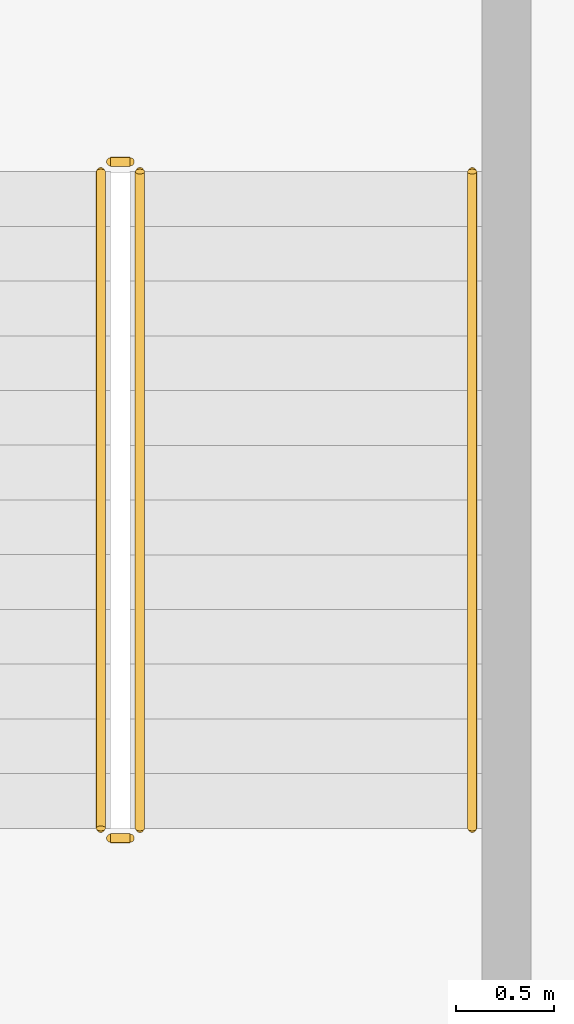
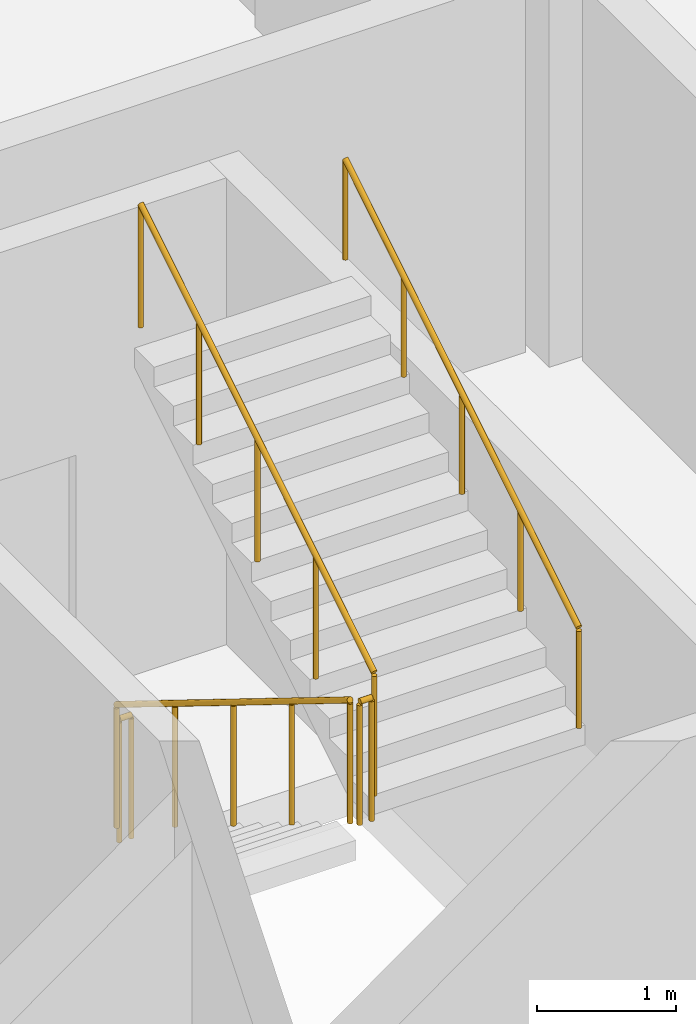
# One storey, part 29 of 35: 5 railings.
"""IFC4 building model written with IfcOpenShell, lengths in metres."""

from ifc_helpers import new_model, si_unit, direction, frame, origin, origin_2d, place, context, subcontext, project, spatial, circle, extrude, material, type_object, element, save


model = new_model("IFC4")

# Units and contexts
model_context = context("Model", 3, precision=1e-05, world=origin(), true_north=direction((0.0, 1.0)))
body_context = subcontext(model_context, "Body", "Model", "MODEL_VIEW")
ifc_project = project(units=[si_unit("LENGTHUNIT", "METRE"), si_unit("AREAUNIT", "SQUARE_METRE"), si_unit("VOLUMEUNIT", "CUBIC_METRE"), si_unit("PLANEANGLEUNIT", "RADIAN"), si_unit("MASSUNIT", "GRAM", prefix="KILO")], contexts=[model_context])

# Site, building, storey
site_placement = place(None, origin())
site = spatial("IfcSite", under=ifc_project, at=site_placement, CompositionType="ELEMENT")
building_placement = place(site_placement, origin())
building = spatial("IfcBuilding", under=site, at=building_placement, Name="Kilnfold Tower and Market Hall", CompositionType="ELEMENT")
storey_placement = place(building_placement, frame((0.0, 0.0, 13.5)))
storey = spatial("IfcBuildingStorey", under=building, at=storey_placement, Name="L02", CompositionType="ELEMENT", Elevation=13.5)

# Railings
ifc_material_1 = material(Name="Steel S355", Category="steel")
railing_type_1 = type_object("IfcRailingType", Name="HALL STAIR GUARD 1100", PredefinedType="GUARDRAIL", material=ifc_material_1)
railing_1_placement = place(storey_placement, frame((-48.75, 13.300048828125, 0.173095703125)))
element("IfcRailing", 1, at=railing_1_placement, inside=storey, type_object=railing_type_1, Name="L02 MS2 stair guard 1", PredefinedType="GUARDRAIL", context=body_context, shape_type="SweptSolid", body=[
    extrude(circle(Radius=0.02392578125, at=origin_2d()), frame((0.0, 0.0, 1.076171875), z_axis=(0.0, -0.850623216509, 0.525775754039), x_axis=(1.0, 0.0, 0.0)), (0.0, 0.0, 1.0), 3.9501953125),
    extrude(circle(Radius=0.02099609375, at=origin_2d()), origin(), (0.0, 0.0, 1.0), 1.052001953125),
    extrude(circle(Radius=0.02099609375, at=origin_2d()), frame((0.0, -0.840087890625, 0.519287109375)), (0.0, 0.0, 1.0), 1.052001953125),
    extrude(circle(Radius=0.02099609375, at=origin_2d()), frame((0.0, -1.68017578125, 1.03857421875)), (0.0, 0.0, 1.0), 1.052001953125),
    extrude(circle(Radius=0.02099609375, at=origin_2d()), frame((0.0, -2.52001953125, 1.5576171875)), (0.0, 0.0, 1.0), 1.052001953125),
    extrude(circle(Radius=0.02099609375, at=origin_2d()), frame((0.0, -3.360107421875, 2.076904296875)), (0.0, 0.0, 1.0), 1.052001953125),
])
railing_2_placement = place(storey_placement, frame((-48.699951171875, 9.889892578125, 2.25)))
element("IfcRailing", 2, at=railing_2_placement, inside=storey, type_object=railing_type_1, Name="L02 MS2 stair guard 2", PredefinedType="GUARDRAIL", context=body_context, shape_type="SweptSolid", body=[
    extrude(circle(Radius=0.02392578125, at=origin_2d()), frame((0.0, 0.0, 1.076171875), z_axis=(1.0, 0.0, 0.0), x_axis=(0.0, 1.0, 0.0)), (0.0, 0.0, 1.0), 0.099853515625),
    extrude(circle(Radius=0.02099609375, at=origin_2d()), origin(), (0.0, 0.0, 1.0), 1.052001953125),
    extrude(circle(Radius=0.02099609375, at=origin_2d()), frame((0.099853515625, 0.0, 0.0)), (0.0, 0.0, 1.0), 1.052001953125),
])
railing_3_placement = place(storey_placement, frame((-48.550048828125, 9.93994140625, 2.423095703125)))
element("IfcRailing", 3, at=railing_3_placement, inside=storey, type_object=railing_type_1, Name="L02 MS2 stair guard 3", PredefinedType="GUARDRAIL", context=body_context, shape_type="SweptSolid", body=[
    extrude(circle(Radius=0.02392578125, at=origin_2d()), frame((0.0, 0.0, 1.076171875), z_axis=(0.0, 0.850623216509, 0.525775754039), x_axis=(-1.0, 0.0, 0.0)), (0.0, 0.0, 1.0), 3.9501953125),
    extrude(circle(Radius=0.02099609375, at=origin_2d()), origin(), (0.0, 0.0, 1.0), 1.052001953125),
    extrude(circle(Radius=0.02099609375, at=origin_2d()), frame((0.0, 0.840087890625, 0.519287109375)), (0.0, 0.0, 1.0), 1.052001953125),
    extrude(circle(Radius=0.02099609375, at=origin_2d()), frame((0.0, 1.68017578125, 1.03857421875)), (0.0, 0.0, 1.0), 1.052001953125),
    extrude(circle(Radius=0.02099609375, at=origin_2d()), frame((0.0, 2.52001953125, 1.5576171875)), (0.0, 0.0, 1.0), 1.052001953125),
    extrude(circle(Radius=0.02099609375, at=origin_2d()), frame((0.0, 3.360107421875, 2.076904296875)), (0.0, 0.0, 1.0), 1.052001953125),
])
railing_4_placement = place(storey_placement, frame((-48.699951171875, 13.35009765625, 0.0)))
element("IfcRailing", 4, at=railing_4_placement, inside=storey, type_object=railing_type_1, Name="L02 MS2 stair guard 4", PredefinedType="GUARDRAIL", context=body_context, shape_type="SweptSolid", body=[
    extrude(circle(Radius=0.02392578125, at=origin_2d()), frame((0.0, 0.0, 1.076171875), z_axis=(1.0, 0.0, 0.0), x_axis=(0.0, 1.0, 0.0)), (0.0, 0.0, 1.0), 0.099853515625),
    extrude(circle(Radius=0.02099609375, at=origin_2d()), origin(), (0.0, 0.0, 1.0), 1.052001953125),
    extrude(circle(Radius=0.02099609375, at=origin_2d()), frame((0.099853515625, 0.0, 0.0)), (0.0, 0.0, 1.0), 1.052001953125),
])
ifc_material_2 = material(Name="Steel S355", Category="steel")
railing_type_2 = type_object("IfcRailingType", Name="HALL STAIR HANDRAIL", PredefinedType="HANDRAIL", material=ifc_material_2)
railing_5_placement = place(storey_placement, frame((-46.85009765625, 9.93994140625, 2.423095703125)))
element("IfcRailing", 5, at=railing_5_placement, inside=storey, type_object=railing_type_2, Name="L02 MS2 stair handrail 2", PredefinedType="HANDRAIL", context=body_context, shape_type="SweptSolid", body=[
    extrude(circle(Radius=0.02392578125, at=origin_2d()), frame((0.0, 0.0, 0.8759765625), z_axis=(0.0, 0.850623216509, 0.525775754039), x_axis=(-1.0, 0.0, 0.0)), (0.0, 0.0, 1.0), 3.9501953125),
    extrude(circle(Radius=0.02099609375, at=origin_2d()), origin(), (0.0, 0.0, 1.0), 0.851806640625),
    extrude(circle(Radius=0.02099609375, at=origin_2d()), frame((0.0, 0.840087890625, 0.519287109375)), (0.0, 0.0, 1.0), 0.851806640625),
    extrude(circle(Radius=0.02099609375, at=origin_2d()), frame((0.0, 1.68017578125, 1.03857421875)), (0.0, 0.0, 1.0), 0.851806640625),
    extrude(circle(Radius=0.02099609375, at=origin_2d()), frame((0.0, 2.52001953125, 1.5576171875)), (0.0, 0.0, 1.0), 0.851806640625),
    extrude(circle(Radius=0.02099609375, at=origin_2d()), frame((0.0, 3.360107421875, 2.076904296875)), (0.0, 0.0, 1.0), 0.851806640625),
])

save(model, "model.ifc")
